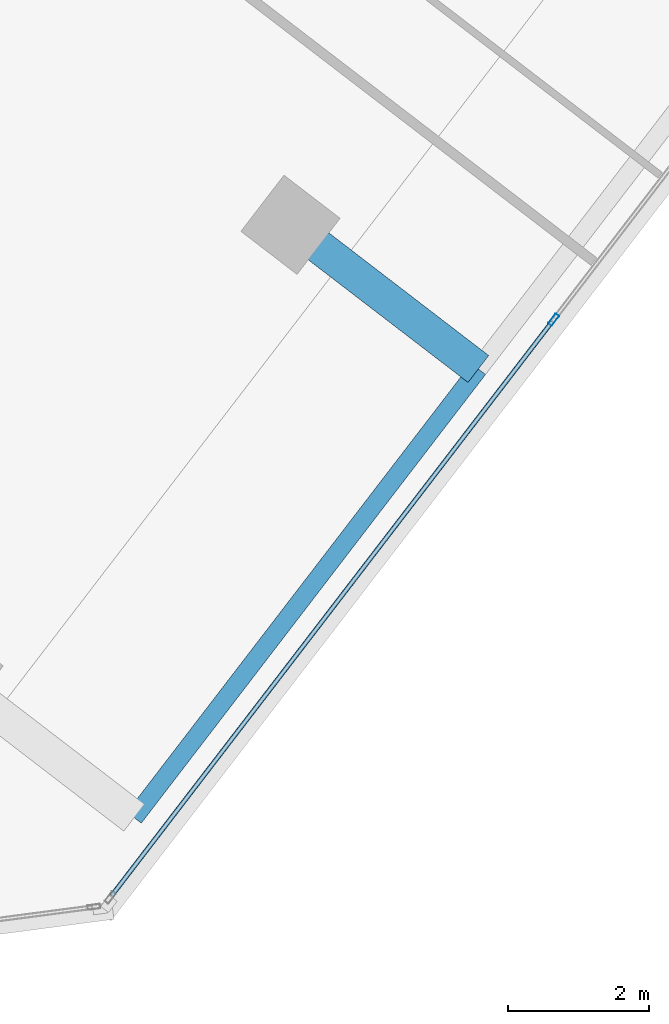
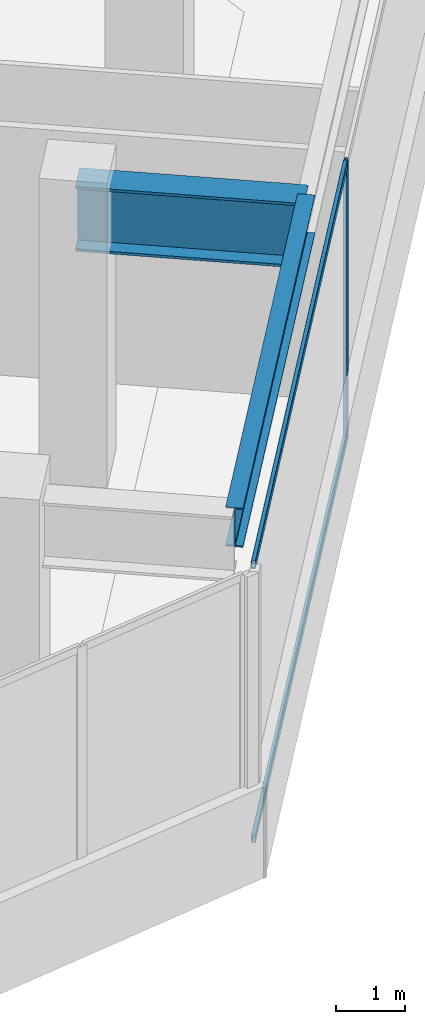
# One storey, part 7 of 23: 3 members, 2 beams, 1 element without a shape of its own.
"""IFC4 building model written with IfcOpenShell, lengths in metres."""

import ifcopenshell
import ifcopenshell.guid

model = None  # the IFC model being written
_history = None  # IfcOwnerHistory: only IFC2X3 demands one
_inside = {}  # id of a spatial element -> (the spatial element, [elements in it])
_under = {}  # id of a project, library or spatial element -> (it, [spatial elements below it])
_declared = {}  # id of a project -> (the project, [libraries it declares])
_typed = {}  # id of a type object -> (the type object, [elements of that type])
_made_of = {}  # id of a material, layer set ... -> (it, [elements and type objects made of it])


def new_model(schema):
    """Start an empty IFC model of exactly this schema.

    Asked for "IFC4X3", IfcOpenShell would pick the latest addendum, in which some entities
    have other attributes; the version numbers below select the first issue.
    IFC2X3 requires an IfcOwnerHistory on every rooted entity: one is made here for all.
    """
    global model, _history
    if schema == "IFC4X3":
        model = ifcopenshell.file(schema_version=(4, 3, 0, 0))
    else:
        model = ifcopenshell.file(schema=schema)
    _inside.clear()
    _under.clear()
    _declared.clear()
    _typed.clear()
    _made_of.clear()
    _history = None
    if model.schema == "IFC2X3":
        org = make("IfcOrganization", Name="unknown")
        user = make(
            "IfcPersonAndOrganization",
            ThePerson=make("IfcPerson", FamilyName="unknown"),
            TheOrganization=org,
        )
        app = make(
            "IfcApplication",
            ApplicationDeveloper=org,
            Version="unknown",
            ApplicationFullName="unknown",
            ApplicationIdentifier="unknown",
        )
        _history = make(
            "IfcOwnerHistory",
            OwningUser=user,
            OwningApplication=app,
            ChangeAction="ADDED",
            CreationDate=0,
        )
    return model


def make(cls, **values):
    """One entity of the class cls with the attributes given. An attribute that is None is left unset."""
    return model.create_entity(
        cls, **{name: value for name, value in values.items() if value is not None}
    )


def rooted(cls, **values):
    """An entity with a GlobalId (a new one), such as an element, a storey or a relation."""
    return make(cls, GlobalId=ifcopenshell.guid.new(), OwnerHistory=_history, **values)


def si_unit(unit_type, name, prefix=None):
    """IfcSIUnit, for example si_unit("LENGTHUNIT", "METRE", prefix="MILLI")."""
    return make("IfcSIUnit", UnitType=unit_type, Prefix=prefix, Name=name)


def assignment(units):
    """IfcUnitAssignment: the units of a project."""
    return None if units is None else make("IfcUnitAssignment", Units=units)


def point(xyz):
    """IfcCartesianPoint."""
    return None if xyz is None else make("IfcCartesianPoint", Coordinates=xyz)


def direction(xyz):
    """IfcDirection."""
    return None if xyz is None else make("IfcDirection", DirectionRatios=xyz)


def frame(location, z_axis=None, x_axis=None):
    """IfcAxis2Placement3D, a coordinate frame: its origin and axes. An axis left out is left unset."""
    return make(
        "IfcAxis2Placement3D",
        Location=point(location),
        Axis=direction(z_axis),
        RefDirection=direction(x_axis),
    )


def frame_2d(location, x_axis=None):
    """IfcAxis2Placement2D, a coordinate frame in the plane: its origin and x axis."""
    return make(
        "IfcAxis2Placement2D", Location=point(location), RefDirection=direction(x_axis)
    )


def origin():
    """The frame at (0, 0, 0) with its axes left unset."""
    return frame((0.0, 0.0, 0.0))


def origin_2d():
    """The frame at (0, 0) in the plane with its x axis left unset."""
    return frame_2d((0.0, 0.0))


def place(relative_to, where):
    """IfcLocalPlacement: puts the frame where relative to a parent placement (None: the world)."""
    return make(
        "IfcLocalPlacement", PlacementRelTo=relative_to, RelativePlacement=where
    )


def context(
    kind, dimensions, precision=None, world=None, true_north=None, identifier=None
):
    """IfcGeometricRepresentationContext, for example the 3D "Model" context."""
    return make(
        "IfcGeometricRepresentationContext",
        ContextIdentifier=identifier,
        ContextType=kind,
        CoordinateSpaceDimension=dimensions,
        Precision=precision,
        WorldCoordinateSystem=world,
        TrueNorth=true_north,
    )


def subcontext(parent, identifier, kind, view, scale=None):
    """IfcGeometricRepresentationSubContext, for example "Body" below "Model"."""
    return make(
        "IfcGeometricRepresentationSubContext",
        ContextIdentifier=identifier,
        ContextType=kind,
        ParentContext=parent,
        TargetScale=scale,
        TargetView=view,
    )


def project(units=None, contexts=None):
    """IfcProject with its units and contexts."""
    return rooted(
        "IfcProject",
        Name="project",
        RepresentationContexts=contexts,
        UnitsInContext=assignment(units),
    )


def spatial(cls, under=None, at=None, **own):
    """A site, building, storey or space (cls), placed at a placement, below another one or the project."""
    s = rooted(cls, ObjectPlacement=at, **own)
    if under is not None:
        _under.setdefault(under.id(), (under, []))[1].append(s)
    return s


def profile(cls, at=None, kind="AREA", **sizes):
    """A parametric profile (cls). Its sizes go by their IFC names, for example OverallWidth=200.0."""
    return make(cls, ProfileType=kind, Position=at, **sizes)


def hollow_rectangle(**sizes):
    """IfcRectangleHollowProfileDef."""
    return profile("IfcRectangleHollowProfileDef", **sizes)


def i_section(**sizes):
    """IfcIShapeProfileDef."""
    return profile("IfcIShapeProfileDef", **sizes)


def extrude(swept, where, along, depth):
    """IfcExtrudedAreaSolid: the profile swept, set in the frame where, extruded along a direction by depth."""
    return make(
        "IfcExtrudedAreaSolid",
        SweptArea=swept,
        Position=where,
        ExtrudedDirection=direction(along),
        Depth=depth,
    )


def shape(context_of_items, identifier, shape_type, items):
    """IfcShapeRepresentation: the items that make up one representation, for example the "Body"."""
    return make(
        "IfcShapeRepresentation",
        ContextOfItems=context_of_items,
        RepresentationIdentifier=identifier,
        RepresentationType=shape_type,
        Items=items,
    )


def source(mapping_origin, context_of_items, identifier, shape_type, items):
    """IfcRepresentationMap: a shape defined once, which mapped items show again and again."""
    return make(
        "IfcRepresentationMap",
        MappingOrigin=mapping_origin,
        MappedRepresentation=shape(context_of_items, identifier, shape_type, items),
    )


def transform(
    local_origin,
    x_axis=None,
    y_axis=None,
    z_axis=None,
    scale=None,
    scale2=None,
    scale3=None,
    uniform=True,
):
    """IfcCartesianTransformationOperator3D, or its non-uniform kind. x_axis, y_axis, z_axis: its Axis1, 2, 3."""
    if uniform:
        return make(
            "IfcCartesianTransformationOperator3D",
            Axis1=direction(x_axis),
            Axis2=direction(y_axis),
            LocalOrigin=point(local_origin),
            Scale=scale,
            Axis3=direction(z_axis),
        )
    return make(
        "IfcCartesianTransformationOperator3DnonUniform",
        Axis1=direction(x_axis),
        Axis2=direction(y_axis),
        LocalOrigin=point(local_origin),
        Scale=scale,
        Axis3=direction(z_axis),
        Scale2=scale2,
        Scale3=scale3,
    )


def mapped(mapping_source, mapping_target):
    """IfcMappedItem: shows the shape of a source again, moved by a transform."""
    return make(
        "IfcMappedItem", MappingSource=mapping_source, MappingTarget=mapping_target
    )


def material(Name=None, Category=None):
    """IfcMaterial."""
    return make("IfcMaterial", Name=Name, Category=Category)


def material_profile(
    of_material, cross_section, Name=None, Category=None, Priority=None
):
    """IfcMaterialProfile: a cross section and its material."""
    return make(
        "IfcMaterialProfile",
        Name=Name,
        Material=of_material,
        Profile=cross_section,
        Priority=Priority,
        Category=Category,
    )


def profile_set(profiles, Name=None, composite=None):
    """IfcMaterialProfileSet."""
    return make(
        "IfcMaterialProfileSet",
        Name=Name,
        MaterialProfiles=profiles,
        CompositeProfile=composite,
    )


def made_of(thing, what):
    """Note that an element or type object is made of a material, layer set ...; save() writes the relation."""
    if what is not None:
        _made_of.setdefault(what.id(), (what, []))[1].append(thing)
    return thing


def type_object(cls, material=None, **own):
    """A type object (cls), such as IfcWallType, which elements share."""
    return made_of(rooted(cls, **own), material)


def element(
    cls,
    number,
    at=None,
    inside=None,
    cuts=None,
    type_object=None,
    material=None,
    context=None,
    identifier="Body",
    shape_type=None,
    held_by="IfcProductDefinitionShape",
    body=None,
    shapes=None,
    **own,
):
    """One element of the class cls, such as IfcWall. Its Tag is "e" and its number.

    at: its placement. inside: the storey or other place that contains it. cuts: it is an
    opening in that element (IfcRelVoidsElement). A single representation is given by context,
    identifier, shape_type and body (its items); several are given by shapes. held_by: the class
    of the entity that holds the representations. save() writes the other relations.
    """
    e = rooted(cls, Tag="e%d" % number, ObjectPlacement=at, **own)
    if body is not None:
        shapes = [shape(context, identifier, shape_type, body)]
    if shapes is not None:
        e.Representation = make(held_by, Representations=shapes)
    if inside is not None:
        _inside.setdefault(inside.id(), (inside, []))[1].append(e)
    if cuts is not None:
        rooted(
            "IfcRelVoidsElement", RelatingBuildingElement=cuts, RelatedOpeningElement=e
        )
    if type_object is not None:
        _typed.setdefault(type_object.id(), (type_object, []))[1].append(e)
    return made_of(e, material)


def aggregate(whole, parts):
    """IfcRelAggregates: a whole, such as a stair, and the parts it consists of."""
    return rooted("IfcRelAggregates", RelatingObject=whole, RelatedObjects=parts)


def save(model, path):
    """Write the relations noted so far, then the file.

    IfcRelAggregates (storeys below a building ...), IfcRelContainedInSpatialStructure (elements
    in a storey), IfcRelDefinesByType, IfcRelAssociatesMaterial and IfcRelDeclares: one each for
    every whole, place, type object, material and project.
    """
    for whole, parts in _under.values():
        aggregate(whole, parts)
    for where, things in _inside.values():
        rooted(
            "IfcRelContainedInSpatialStructure",
            RelatedElements=things,
            RelatingStructure=where,
        )
    for kind, things in _typed.values():
        rooted("IfcRelDefinesByType", RelatedObjects=things, RelatingType=kind)
    for what, things in _made_of.values():
        rooted("IfcRelAssociatesMaterial", RelatedObjects=things, RelatingMaterial=what)
    for by, libraries in _declared.values():
        rooted("IfcRelDeclares", RelatingContext=by, RelatedDefinitions=libraries)
    model.write(path)


model = new_model("IFC4")

# Units and contexts
model_context = context("Model", 3, precision=1e-05, world=origin(), true_north=direction((0.0, 1.0)))
body_context = subcontext(model_context, "Body", "Model", "MODEL_VIEW")
ifc_project = project(units=[si_unit("LENGTHUNIT", "METRE"), si_unit("AREAUNIT", "SQUARE_METRE"), si_unit("VOLUMEUNIT", "CUBIC_METRE"), si_unit("PLANEANGLEUNIT", "RADIAN"), si_unit("MASSUNIT", "GRAM", prefix="KILO")], contexts=[model_context])

# Site, building, storey
site_placement = place(None, origin())
site = spatial("IfcSite", under=ifc_project, at=site_placement, CompositionType="ELEMENT")
building_placement = place(site_placement, origin())
building = spatial("IfcBuilding", under=site, at=building_placement, Name="Torre Montelarca", CompositionType="ELEMENT")
storey_placement = place(building_placement, frame((0.0, 0.0, 204.39990234375)))
storey = spatial("IfcBuildingStorey", under=building, at=storey_placement, Name="L46", CompositionType="ELEMENT", Elevation=204.39990234375)

# Beams
ifc_material_1 = material(Name="Steel ASTM A572 Grade 50", Category="steel")
ifc_material_profile_1 = material_profile(ifc_material_1, i_section(OverallWidth=0.47998046875, OverallDepth=1.14990234375, WebThickness=0.02197265625, FlangeThickness=0.044921875, at=origin_2d()), Name="PG1150X480X22X45", Category="steel")
ifc_profile_set_1 = profile_set([ifc_material_profile_1], Name="Steel ASTM A572 Grade 50")
beam_type_1 = type_object("IfcBeamType", Name="BM-CG-PG1400-EXT", PredefinedType="USERDEFINED", material=ifc_profile_set_1)
shared_shape_1 = source(origin(), body_context, "Body", "SweptSolid", [
    extrude(i_section(OverallWidth=0.47998046875, OverallDepth=1.14990234375, WebThickness=0.02197265625, FlangeThickness=0.044921875, at=origin_2d()), origin(), (0.0, 0.0, 1.0), 3.349853515625),
])
beam_1_placement = place(storey_placement, frame((42.52392578125, 15.867919921875, 4.545166015625), z_axis=(0.793357620002, -0.608755851541, 0.0), x_axis=(0.608755851541, 0.793357620002, 0.0)))
element("IfcBeam", 1, at=beam_1_placement, inside=storey, type_object=beam_type_1, Name="L46 Sliding Tray Cantilever Girder East Y=32m (FLR)", ObjectType="CANTILEVER GIRDER", PredefinedType="USERDEFINED", context=body_context, shape_type="MappedRepresentation", body=[
    mapped(shared_shape_1, transform((0.0, 0.0, 0.0), scale=1.0)),
])
ifc_material_2 = material(Name="Steel ASTM A992 Grade 50", Category="steel")
ifc_material_profile_2 = material_profile(ifc_material_2, i_section(OverallWidth=0.256103515625, OverallDepth=0.693115234375, WebThickness=0.014404296875, FlangeThickness=0.023681640625, FilletRadius=0.01806640625, at=origin_2d()), Name="W690X170", Category="steel")
ifc_profile_set_2 = profile_set([ifc_material_profile_2], Name="Steel ASTM A992 Grade 50")
beam_type_2 = type_object("IfcBeamType", Name="BM-G-W690-EXT", PredefinedType="BEAM", material=ifc_profile_set_2)
shared_shape_2 = source(origin(), body_context, "Body", "SweptSolid", [
    extrude(i_section(OverallWidth=0.256103515625, OverallDepth=0.693115234375, WebThickness=0.014404296875, FlangeThickness=0.023681640625, FilletRadius=0.01806640625, at=origin_2d()), origin(), (0.0, 0.0, 1.0), 8.0),
])
beam_2_placement = place(storey_placement, frame((40.3115234375, 7.481689453125, 4.774169921875), z_axis=(0.608757593073, 0.793356283694, 0.0), x_axis=(-0.793356283694, 0.608757593073, 0.0)))
element("IfcBeam", 2, at=beam_2_placement, inside=storey, type_object=beam_type_2, Name="L46 Sliding Tray Edge Girder East 24-32m (FLR)", PredefinedType="BEAM", context=body_context, shape_type="MappedRepresentation", body=[
    mapped(shared_shape_2, transform((0.0, 0.0, 0.0), scale=1.0)),
])

# Curtain wall, members
ifc_material_3 = material(Name="Insulated low-E laminated glass", Category="glass")
curtain_wall_type = type_object("IfcCurtainWallType", Name="CW-SYS-Z2", PredefinedType="USERDEFINED", material=ifc_material_3)
curtain_wall_placement = place(storey_placement, origin())
curtain_wall = element("IfcCurtainWall", 3, at=curtain_wall_placement, inside=storey, type_object=curtain_wall_type, Name="L46 Curtain Wall Run CW-T3-L46-E06-B1", ObjectType="UNITISED GLAZING", PredefinedType="USERDEFINED")
ifc_material_4 = material(Name="Anodised aluminium AA 6063-T6", Category="aluminium")
ifc_material_profile_3 = material_profile(ifc_material_4, hollow_rectangle(XDim=0.06494140625, YDim=0.139892578125, WallThickness=0.00390625, InnerFilletRadius=0.00390625, OuterFilletRadius=0.008056640625, at=origin_2d()), Name="ALU65X140X4", Category="aluminium")
ifc_profile_set_3 = profile_set([ifc_material_profile_3], Name="Anodised aluminium AA 6063-T6")
member_type_1 = type_object("IfcMemberType", Name="CWT-ALU140", PredefinedType="USERDEFINED", material=ifc_profile_set_3)
shared_shape_3 = source(origin(), body_context, "Body", "SweptSolid", [
    extrude(hollow_rectangle(XDim=0.06494140625, YDim=0.139892578125, WallThickness=0.00390625, InnerFilletRadius=0.00390625, OuterFilletRadius=0.008056640625, at=origin_2d()), origin(), (0.0, 0.0, 1.0), 10.23681640625),
])
member_1_placement = place(storey_placement, frame((39.993896484375, 6.377685546875, 0.03271484375), z_axis=(0.608759443709, 0.793354863662, 0.0), x_axis=(-0.793354863662, 0.608759443709, 0.0)))
member_1 = element("IfcMember", 4, at=member_1_placement, type_object=member_type_1, Name="CW transom 1.1", ObjectType="TRANSOM", PredefinedType="USERDEFINED", context=body_context, shape_type="MappedRepresentation", body=[
    mapped(shared_shape_3, transform((0.0, 0.0, 0.0), scale=1.0)),
])
member_2_placement = place(storey_placement, frame((39.993896484375, 6.377685546875, 4.8876953125), z_axis=(0.608759443709, 0.793354863662, 0.0), x_axis=(-0.793354863662, 0.608759443709, 0.0)))
member_2 = element("IfcMember", 5, at=member_2_placement, type_object=member_type_1, Name="CW transom 1.2", ObjectType="TRANSOM", PredefinedType="USERDEFINED", context=body_context, shape_type="MappedRepresentation", body=[
    mapped(shared_shape_3, transform((0.0, 0.0, 0.0), scale=1.0)),
])
ifc_material_profile_4 = material_profile(ifc_material_4, hollow_rectangle(XDim=0.06494140625, YDim=0.179931640625, WallThickness=0.00390625, InnerFilletRadius=0.00390625, OuterFilletRadius=0.008056640625, at=origin_2d()), Name="ALU65X180X4", Category="aluminium")
ifc_profile_set_4 = profile_set([ifc_material_profile_4], Name="Anodised aluminium AA 6063-T6")
member_type_2 = type_object("IfcMemberType", Name="CWM-ALU180", PredefinedType="MULLION", material=ifc_profile_set_4)
shared_shape_4 = source(origin(), body_context, "Body", "SweptSolid", [
    extrude(hollow_rectangle(XDim=0.06494140625, YDim=0.179931640625, WallThickness=0.00390625, InnerFilletRadius=0.00390625, OuterFilletRadius=0.008056640625, at=origin_2d()), origin(), (0.0, 0.0, 1.0), 4.920166015625),
])
member_3_placement = place(storey_placement, frame((46.245361328125, 14.52490234375, 0.0), z_axis=(0.0, 0.0, 1.0), x_axis=(-0.793353125775, 0.608761708572, 0.0)))
member_3 = element("IfcMember", 6, at=member_3_placement, type_object=member_type_2, Name="CW mullion 2", PredefinedType="MULLION", context=body_context, shape_type="MappedRepresentation", body=[
    mapped(shared_shape_4, transform((0.0, 0.0, 0.0), scale=1.0)),
])
aggregate(curtain_wall, [member_3, member_1, member_2])

save(model, "model.ifc")
